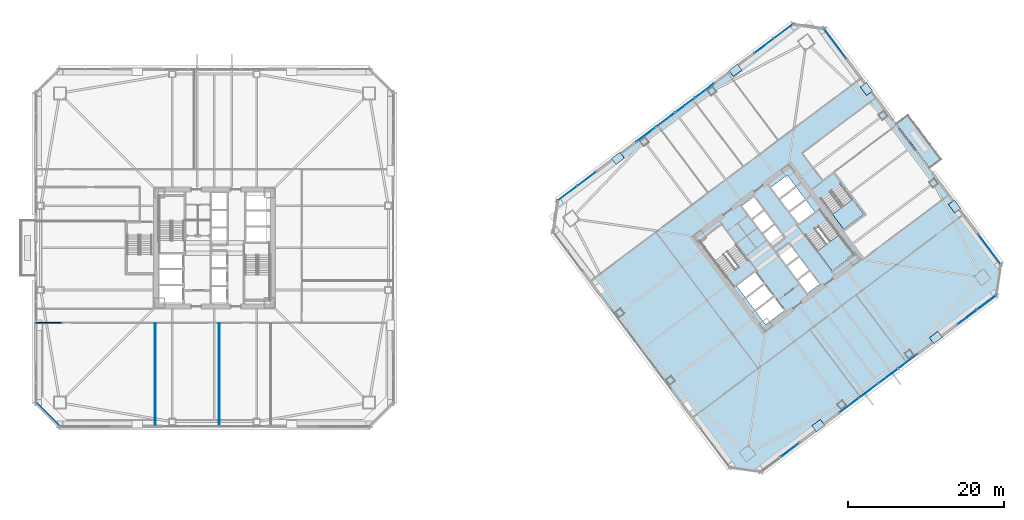
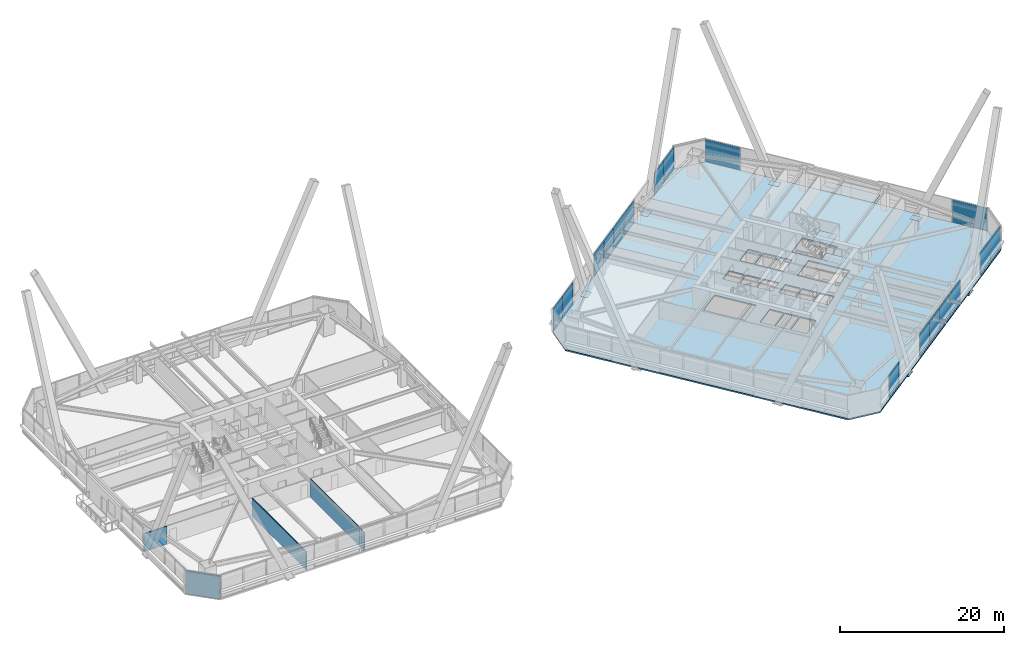
# One storey, part 61 of 75: 23 plates, 4 slabs, 4 walls, 10 elements without a shape of their own.
"""IFC4 building model written with IfcOpenShell, lengths in metres."""

import ifcopenshell
import ifcopenshell.guid

model = None  # the IFC model being written
_history = None  # IfcOwnerHistory: only IFC2X3 demands one
_inside = {}  # id of a spatial element -> (the spatial element, [elements in it])
_under = {}  # id of a project, library or spatial element -> (it, [spatial elements below it])
_declared = {}  # id of a project -> (the project, [libraries it declares])
_typed = {}  # id of a type object -> (the type object, [elements of that type])
_made_of = {}  # id of a material, layer set ... -> (it, [elements and type objects made of it])


def new_model(schema):
    """Start an empty IFC model of exactly this schema.

    Asked for "IFC4X3", IfcOpenShell would pick the latest addendum, in which some entities
    have other attributes; the version numbers below select the first issue.
    IFC2X3 requires an IfcOwnerHistory on every rooted entity: one is made here for all.
    """
    global model, _history
    if schema == "IFC4X3":
        model = ifcopenshell.file(schema_version=(4, 3, 0, 0))
    else:
        model = ifcopenshell.file(schema=schema)
    _inside.clear()
    _under.clear()
    _declared.clear()
    _typed.clear()
    _made_of.clear()
    _history = None
    if model.schema == "IFC2X3":
        org = make("IfcOrganization", Name="unknown")
        user = make(
            "IfcPersonAndOrganization",
            ThePerson=make("IfcPerson", FamilyName="unknown"),
            TheOrganization=org,
        )
        app = make(
            "IfcApplication",
            ApplicationDeveloper=org,
            Version="unknown",
            ApplicationFullName="unknown",
            ApplicationIdentifier="unknown",
        )
        _history = make(
            "IfcOwnerHistory",
            OwningUser=user,
            OwningApplication=app,
            ChangeAction="ADDED",
            CreationDate=0,
        )
    return model


def make(cls, **values):
    """One entity of the class cls with the attributes given. An attribute that is None is left unset."""
    return model.create_entity(
        cls, **{name: value for name, value in values.items() if value is not None}
    )


def rooted(cls, **values):
    """An entity with a GlobalId (a new one), such as an element, a storey or a relation."""
    return make(cls, GlobalId=ifcopenshell.guid.new(), OwnerHistory=_history, **values)


def si_unit(unit_type, name, prefix=None):
    """IfcSIUnit, for example si_unit("LENGTHUNIT", "METRE", prefix="MILLI")."""
    return make("IfcSIUnit", UnitType=unit_type, Prefix=prefix, Name=name)


def assignment(units):
    """IfcUnitAssignment: the units of a project."""
    return None if units is None else make("IfcUnitAssignment", Units=units)


def point(xyz):
    """IfcCartesianPoint."""
    return None if xyz is None else make("IfcCartesianPoint", Coordinates=xyz)


def direction(xyz):
    """IfcDirection."""
    return None if xyz is None else make("IfcDirection", DirectionRatios=xyz)


def frame(location, z_axis=None, x_axis=None):
    """IfcAxis2Placement3D, a coordinate frame: its origin and axes. An axis left out is left unset."""
    return make(
        "IfcAxis2Placement3D",
        Location=point(location),
        Axis=direction(z_axis),
        RefDirection=direction(x_axis),
    )


def frame_2d(location, x_axis=None):
    """IfcAxis2Placement2D, a coordinate frame in the plane: its origin and x axis."""
    return make(
        "IfcAxis2Placement2D", Location=point(location), RefDirection=direction(x_axis)
    )


def origin():
    """The frame at (0, 0, 0) with its axes left unset."""
    return frame((0.0, 0.0, 0.0))


def origin_2d():
    """The frame at (0, 0) in the plane with its x axis left unset."""
    return frame_2d((0.0, 0.0))


def place(relative_to, where):
    """IfcLocalPlacement: puts the frame where relative to a parent placement (None: the world)."""
    return make(
        "IfcLocalPlacement", PlacementRelTo=relative_to, RelativePlacement=where
    )


def context(
    kind, dimensions, precision=None, world=None, true_north=None, identifier=None
):
    """IfcGeometricRepresentationContext, for example the 3D "Model" context."""
    return make(
        "IfcGeometricRepresentationContext",
        ContextIdentifier=identifier,
        ContextType=kind,
        CoordinateSpaceDimension=dimensions,
        Precision=precision,
        WorldCoordinateSystem=world,
        TrueNorth=true_north,
    )


def subcontext(parent, identifier, kind, view, scale=None):
    """IfcGeometricRepresentationSubContext, for example "Body" below "Model"."""
    return make(
        "IfcGeometricRepresentationSubContext",
        ContextIdentifier=identifier,
        ContextType=kind,
        ParentContext=parent,
        TargetScale=scale,
        TargetView=view,
    )


def project(units=None, contexts=None):
    """IfcProject with its units and contexts."""
    return rooted(
        "IfcProject",
        Name="project",
        RepresentationContexts=contexts,
        UnitsInContext=assignment(units),
    )


def spatial(cls, under=None, at=None, **own):
    """A site, building, storey or space (cls), placed at a placement, below another one or the project."""
    s = rooted(cls, ObjectPlacement=at, **own)
    if under is not None:
        _under.setdefault(under.id(), (under, []))[1].append(s)
    return s


def polyline(points):
    """IfcPolyline through the points."""
    return make("IfcPolyline", Points=[point(p) for p in points])


def profile(cls, at=None, kind="AREA", **sizes):
    """A parametric profile (cls). Its sizes go by their IFC names, for example OverallWidth=200.0."""
    return make(cls, ProfileType=kind, Position=at, **sizes)


def rectangle(**sizes):
    """IfcRectangleProfileDef."""
    return profile("IfcRectangleProfileDef", **sizes)


def outline(outer, holes=None, kind="AREA"):
    """IfcArbitraryClosedProfileDef: a profile drawn as a closed curve; with holes, ...WithVoids."""
    if holes is None:
        return make("IfcArbitraryClosedProfileDef", ProfileType=kind, OuterCurve=outer)
    return make(
        "IfcArbitraryProfileDefWithVoids",
        ProfileType=kind,
        OuterCurve=outer,
        InnerCurves=holes,
    )


def extrude(swept, where, along, depth):
    """IfcExtrudedAreaSolid: the profile swept, set in the frame where, extruded along a direction by depth."""
    return make(
        "IfcExtrudedAreaSolid",
        SweptArea=swept,
        Position=where,
        ExtrudedDirection=direction(along),
        Depth=depth,
    )


def shape(context_of_items, identifier, shape_type, items):
    """IfcShapeRepresentation: the items that make up one representation, for example the "Body"."""
    return make(
        "IfcShapeRepresentation",
        ContextOfItems=context_of_items,
        RepresentationIdentifier=identifier,
        RepresentationType=shape_type,
        Items=items,
    )


def material(Name=None, Category=None):
    """IfcMaterial."""
    return make("IfcMaterial", Name=Name, Category=Category)


def layer(
    of_material, thickness, ventilated=None, Name=None, Category=None, Priority=None
):
    """IfcMaterialLayer: one layer of a wall or slab, of a material (None: an air gap)."""
    return make(
        "IfcMaterialLayer",
        Material=of_material,
        LayerThickness=thickness,
        IsVentilated=ventilated,
        Name=Name,
        Category=Category,
        Priority=Priority,
    )


def layer_set(layers, Name=None):
    """IfcMaterialLayerSet."""
    return make("IfcMaterialLayerSet", MaterialLayers=layers, LayerSetName=Name)


def made_of(thing, what):
    """Note that an element or type object is made of a material, layer set ...; save() writes the relation."""
    if what is not None:
        _made_of.setdefault(what.id(), (what, []))[1].append(thing)
    return thing


def type_object(cls, material=None, **own):
    """A type object (cls), such as IfcWallType, which elements share."""
    return made_of(rooted(cls, **own), material)


def element(
    cls,
    number,
    at=None,
    inside=None,
    cuts=None,
    type_object=None,
    material=None,
    context=None,
    identifier="Body",
    shape_type=None,
    held_by="IfcProductDefinitionShape",
    body=None,
    shapes=None,
    **own,
):
    """One element of the class cls, such as IfcWall. Its Tag is "e" and its number.

    at: its placement. inside: the storey or other place that contains it. cuts: it is an
    opening in that element (IfcRelVoidsElement). A single representation is given by context,
    identifier, shape_type and body (its items); several are given by shapes. held_by: the class
    of the entity that holds the representations. save() writes the other relations.
    """
    e = rooted(cls, Tag="e%d" % number, ObjectPlacement=at, **own)
    if body is not None:
        shapes = [shape(context, identifier, shape_type, body)]
    if shapes is not None:
        e.Representation = make(held_by, Representations=shapes)
    if inside is not None:
        _inside.setdefault(inside.id(), (inside, []))[1].append(e)
    if cuts is not None:
        rooted(
            "IfcRelVoidsElement", RelatingBuildingElement=cuts, RelatedOpeningElement=e
        )
    if type_object is not None:
        _typed.setdefault(type_object.id(), (type_object, []))[1].append(e)
    return made_of(e, material)


def aggregate(whole, parts):
    """IfcRelAggregates: a whole, such as a stair, and the parts it consists of."""
    return rooted("IfcRelAggregates", RelatingObject=whole, RelatedObjects=parts)


def save(model, path):
    """Write the relations noted so far, then the file.

    IfcRelAggregates (storeys below a building ...), IfcRelContainedInSpatialStructure (elements
    in a storey), IfcRelDefinesByType, IfcRelAssociatesMaterial and IfcRelDeclares: one each for
    every whole, place, type object, material and project.
    """
    for whole, parts in _under.values():
        aggregate(whole, parts)
    for where, things in _inside.values():
        rooted(
            "IfcRelContainedInSpatialStructure",
            RelatedElements=things,
            RelatingStructure=where,
        )
    for kind, things in _typed.values():
        rooted("IfcRelDefinesByType", RelatedObjects=things, RelatingType=kind)
    for what, things in _made_of.values():
        rooted("IfcRelAssociatesMaterial", RelatedObjects=things, RelatingMaterial=what)
    for by, libraries in _declared.values():
        rooted("IfcRelDeclares", RelatingContext=by, RelatedDefinitions=libraries)
    model.write(path)


model = new_model("IFC4")

# Units and contexts
model_context = context("Model", 3, precision=1e-05, world=origin(), true_north=direction((0.0, 1.0)))
body_context = subcontext(model_context, "Body", "Model", "MODEL_VIEW")
ifc_project = project(units=[si_unit("LENGTHUNIT", "METRE"), si_unit("AREAUNIT", "SQUARE_METRE"), si_unit("VOLUMEUNIT", "CUBIC_METRE"), si_unit("PLANEANGLEUNIT", "RADIAN"), si_unit("MASSUNIT", "GRAM", prefix="KILO")], contexts=[model_context])

# Site, building, storey
site_placement = place(None, origin())
site = spatial("IfcSite", under=ifc_project, at=site_placement, CompositionType="ELEMENT")
building_placement = place(site_placement, origin())
building = spatial("IfcBuilding", under=site, at=building_placement, Name="Tashvorn Skyway Center", CompositionType="ELEMENT")
storey_placement = place(building_placement, frame((0.0, 0.0, 45.89990234375)))
storey = spatial("IfcBuildingStorey", under=building, at=storey_placement, Name="L11", CompositionType="ELEMENT", Elevation=45.89990234375)

# Curtain wall, plates
ifc_material_1 = material(Name="Thermally broken bronze-anodized aluminium 6063-T6", Category="aluminium")
curtain_wall_type = type_object("IfcCurtainWallType", Name="CW-CW-Z1", PredefinedType="NOTDEFINED", material=ifc_material_1)
curtain_wall_1_placement = place(storey_placement, origin())
curtain_wall_1 = element("IfcCurtainWall", 1, at=curtain_wall_1_placement, inside=storey, type_object=curtain_wall_type, Name="Tower 2 L11 South Unitised Curtain Wall Glazing Group 1", PredefinedType="NOTDEFINED")
ifc_material_2 = material(Name="Low-E solar-control double insulating safety glass", Category="glass")
ifc_layer_1 = layer(ifc_material_2, 0.048095703125)
ifc_layer_set_1 = layer_set([ifc_layer_1], Name="Low-E solar-control double insulating safety glass")
plate_type_1 = type_object("IfcPlateType", Name="CWP-CW-Z1", PredefinedType="CURTAIN_PANEL", material=ifc_layer_set_1)
plate_1_placement = place(storey_placement, frame((140.83642578125, 25.02734375, 0.085205078125), z_axis=(0.0, 0.0, 1.0), x_axis=(-0.800001906763, -0.599997457641, 0.0)))
plate_1 = element("IfcPlate", 2, at=plate_1_placement, type_object=plate_type_1, Name="CW-Z1 panel 1.1", PredefinedType="CURTAIN_PANEL", context=body_context, shape_type="SweptSolid", body=[
    extrude(rectangle(XDim=3.019287109375, YDim=0.048095703125, at=origin_2d()), origin(), (0.0, 0.0, 1.0), 3.3798828125),
])
plate_2_placement = place(storey_placement, frame((138.35302734375, 23.164794921875, 0.085205078125), z_axis=(0.0, 0.0, 1.0), x_axis=(-0.800001906763, -0.599997457641, 0.0)))
plate_2 = element("IfcPlate", 3, at=plate_2_placement, type_object=plate_type_1, Name="CW-Z1 panel 2.1", PredefinedType="CURTAIN_PANEL", context=body_context, shape_type="SweptSolid", body=[
    extrude(rectangle(XDim=3.019287109375, YDim=0.048095703125, at=origin_2d()), origin(), (0.0, 0.0, 1.0), 3.3798828125),
])
aggregate(curtain_wall_1, [plate_1, plate_2])

curtain_wall_2_placement = place(storey_placement, origin())
curtain_wall_2 = element("IfcCurtainWall", 4, at=curtain_wall_2_placement, inside=storey, type_object=curtain_wall_type, Name="Tower 2 L11 South Unitised Curtain Wall Glazing Group 2", PredefinedType="NOTDEFINED")
plate_3_placement = place(storey_placement, frame((130.76708984375, 17.475341796875, 0.085205078125), z_axis=(0.0, 0.0, 1.0), x_axis=(-0.800001906763, -0.599997457641, 0.0)))
plate_3 = element("IfcPlate", 5, at=plate_3_placement, type_object=plate_type_1, Name="CW-Z1 panel 1.1", PredefinedType="CURTAIN_PANEL", context=body_context, shape_type="SweptSolid", body=[
    extrude(rectangle(XDim=3.019287109375, YDim=0.048095703125, at=origin_2d()), origin(), (0.0, 0.0, 1.0), 3.3798828125),
])
plate_4_placement = place(storey_placement, frame((128.2666015625, 15.60009765625, 0.085205078125), z_axis=(0.0, 0.0, 1.0), x_axis=(-0.800001906763, -0.599997457641, 0.0)))
plate_4 = element("IfcPlate", 6, at=plate_4_placement, type_object=plate_type_1, Name="CW-Z1 panel 2.1", PredefinedType="CURTAIN_PANEL", context=body_context, shape_type="SweptSolid", body=[
    extrude(rectangle(XDim=3.061767578125, YDim=0.048095703125, at=origin_2d()), origin(), (0.0, 0.0, 1.0), 3.3798828125),
])
plate_5_placement = place(storey_placement, frame((125.749267578125, 13.7119140625, 0.085205078125), z_axis=(0.0, 0.0, 1.0), x_axis=(-0.800001906763, -0.599997457641, 0.0)))
plate_5 = element("IfcPlate", 7, at=plate_5_placement, type_object=plate_type_1, Name="CW-Z1 panel 3.1", PredefinedType="CURTAIN_PANEL", context=body_context, shape_type="SweptSolid", body=[
    extrude(rectangle(XDim=3.061767578125, YDim=0.048095703125, at=origin_2d()), origin(), (0.0, 0.0, 1.0), 3.3798828125),
])
plate_6_placement = place(storey_placement, frame((123.2490234375, 11.836669921875, 0.085205078125), z_axis=(0.0, 0.0, 1.0), x_axis=(-0.800001906763, -0.599997457641, 0.0)))
plate_6 = element("IfcPlate", 8, at=plate_6_placement, type_object=plate_type_1, Name="CW-Z1 panel 4.1", PredefinedType="CURTAIN_PANEL", context=body_context, shape_type="SweptSolid", body=[
    extrude(rectangle(XDim=3.019287109375, YDim=0.048095703125, at=origin_2d()), origin(), (0.0, 0.0, 1.0), 3.3798828125),
])
aggregate(curtain_wall_2, [plate_3, plate_4, plate_5, plate_6])

# Curtain wall, plate
curtain_wall_3_placement = place(storey_placement, origin())
curtain_wall_3 = element("IfcCurtainWall", 9, at=curtain_wall_3_placement, inside=storey, type_object=curtain_wall_type, Name="Tower 2 L11 South Unitised Curtain Wall Glazing Group 3", PredefinedType="NOTDEFINED")
plate_7_placement = place(storey_placement, frame((115.6630859375, 6.147216796875, 0.085205078125), z_axis=(0.0, 0.0, 1.0), x_axis=(-0.800001906763, -0.599997457641, 0.0)))
plate_7 = element("IfcPlate", 10, at=plate_7_placement, type_object=plate_type_1, Name="CW-Z1 panel 1.1", PredefinedType="CURTAIN_PANEL", context=body_context, shape_type="SweptSolid", body=[
    extrude(rectangle(XDim=3.019287109375, YDim=0.048095703125, at=origin_2d()), origin(), (0.0, 0.0, 1.0), 3.3798828125),
])
aggregate(curtain_wall_3, [plate_7])

# Curtain wall, plates
curtain_wall_4_placement = place(storey_placement, origin())
curtain_wall_4 = element("IfcCurtainWall", 11, at=curtain_wall_4_placement, inside=storey, type_object=curtain_wall_type, Name="Tower 2 L11 North Unitised Curtain Wall Glazing Group 1", PredefinedType="NOTDEFINED")
plate_8_placement = place(storey_placement, frame((87.16357421875, 38.97265625, 0.085205078125), z_axis=(0.0, 0.0, 1.0), x_axis=(0.800001906763, 0.599997457641, 0.0)))
plate_8 = element("IfcPlate", 12, at=plate_8_placement, type_object=plate_type_1, Name="CW-Z1 panel 1.1", PredefinedType="CURTAIN_PANEL", context=body_context, shape_type="SweptSolid", body=[
    extrude(rectangle(XDim=3.019287109375, YDim=0.048095703125, at=origin_2d()), origin(), (0.0, 0.0, 1.0), 3.3798828125),
])
plate_9_placement = place(storey_placement, frame((89.64697265625, 40.835205078125, 0.085205078125), z_axis=(0.0, 0.0, 1.0), x_axis=(0.800001906763, 0.599997457641, 0.0)))
plate_9 = element("IfcPlate", 13, at=plate_9_placement, type_object=plate_type_1, Name="CW-Z1 panel 2.1", PredefinedType="CURTAIN_PANEL", context=body_context, shape_type="SweptSolid", body=[
    extrude(rectangle(XDim=3.019287109375, YDim=0.048095703125, at=origin_2d()), origin(), (0.0, 0.0, 1.0), 3.3798828125),
])
aggregate(curtain_wall_4, [plate_8, plate_9])

curtain_wall_5_placement = place(storey_placement, origin())
curtain_wall_5 = element("IfcCurtainWall", 14, at=curtain_wall_5_placement, inside=storey, type_object=curtain_wall_type, Name="Tower 2 L11 North Unitised Curtain Wall Glazing Group 2", PredefinedType="NOTDEFINED")
plate_10_placement = place(storey_placement, frame((97.23291015625, 46.524658203125, 0.085205078125), z_axis=(0.0, 0.0, 1.0), x_axis=(0.800001906763, 0.599997457641, 0.0)))
plate_10 = element("IfcPlate", 15, at=plate_10_placement, type_object=plate_type_1, Name="CW-Z1 panel 1.1", PredefinedType="CURTAIN_PANEL", context=body_context, shape_type="SweptSolid", body=[
    extrude(rectangle(XDim=3.019287109375, YDim=0.048095703125, at=origin_2d()), origin(), (0.0, 0.0, 1.0), 3.3798828125),
])
plate_11_placement = place(storey_placement, frame((99.7333984375, 48.39990234375, 0.085205078125), z_axis=(0.0, 0.0, 1.0), x_axis=(0.800001906763, 0.599997457641, 0.0)))
plate_11 = element("IfcPlate", 16, at=plate_11_placement, type_object=plate_type_1, Name="CW-Z1 panel 2.1", PredefinedType="CURTAIN_PANEL", context=body_context, shape_type="SweptSolid", body=[
    extrude(rectangle(XDim=3.061767578125, YDim=0.048095703125, at=origin_2d()), origin(), (0.0, 0.0, 1.0), 3.3798828125),
])
plate_12_placement = place(storey_placement, frame((102.250732421875, 50.2880859375, 0.085205078125), z_axis=(0.0, 0.0, 1.0), x_axis=(0.800001906763, 0.599997457641, 0.0)))
plate_12 = element("IfcPlate", 17, at=plate_12_placement, type_object=plate_type_1, Name="CW-Z1 panel 3.1", PredefinedType="CURTAIN_PANEL", context=body_context, shape_type="SweptSolid", body=[
    extrude(rectangle(XDim=3.061767578125, YDim=0.048095703125, at=origin_2d()), origin(), (0.0, 0.0, 1.0), 3.3798828125),
])
plate_13_placement = place(storey_placement, frame((104.7509765625, 52.163330078125, 0.085205078125), z_axis=(0.0, 0.0, 1.0), x_axis=(0.800001906763, 0.599997457641, 0.0)))
plate_13 = element("IfcPlate", 18, at=plate_13_placement, type_object=plate_type_1, Name="CW-Z1 panel 4.1", PredefinedType="CURTAIN_PANEL", context=body_context, shape_type="SweptSolid", body=[
    extrude(rectangle(XDim=3.019287109375, YDim=0.048095703125, at=origin_2d()), origin(), (0.0, 0.0, 1.0), 3.3798828125),
])
aggregate(curtain_wall_5, [plate_10, plate_11, plate_12, plate_13])

curtain_wall_6_placement = place(storey_placement, origin())
curtain_wall_6 = element("IfcCurtainWall", 19, at=curtain_wall_6_placement, inside=storey, type_object=curtain_wall_type, Name="Tower 2 L11 North Unitised Curtain Wall Glazing Group 3", PredefinedType="NOTDEFINED")
plate_14_placement = place(storey_placement, frame((112.3369140625, 57.852783203125, 0.085205078125), z_axis=(0.0, 0.0, 1.0), x_axis=(0.800001906763, 0.599997457641, 0.0)))
plate_14 = element("IfcPlate", 20, at=plate_14_placement, type_object=plate_type_1, Name="CW-Z1 panel 1.1", PredefinedType="CURTAIN_PANEL", context=body_context, shape_type="SweptSolid", body=[
    extrude(rectangle(XDim=3.019287109375, YDim=0.048095703125, at=origin_2d()), origin(), (0.0, 0.0, 1.0), 3.3798828125),
])
plate_15_placement = place(storey_placement, frame((114.8203125, 59.71533203125, 0.085205078125), z_axis=(0.0, 0.0, 1.0), x_axis=(0.800001906763, 0.599997457641, 0.0)))
plate_15 = element("IfcPlate", 21, at=plate_15_placement, type_object=plate_type_1, Name="CW-Z1 panel 2.1", PredefinedType="CURTAIN_PANEL", context=body_context, shape_type="SweptSolid", body=[
    extrude(rectangle(XDim=3.019287109375, YDim=0.048095703125, at=origin_2d()), origin(), (0.0, 0.0, 1.0), 3.3798828125),
])
aggregate(curtain_wall_6, [plate_14, plate_15])

# Curtain wall, plate
curtain_wall_7_placement = place(storey_placement, origin())
curtain_wall_7 = element("IfcCurtainWall", 22, at=curtain_wall_7_placement, inside=storey, type_object=curtain_wall_type, Name="Tower 2 L11 East Curtain Wall L Glazing Group 1", PredefinedType="NOTDEFINED")
plate_16_placement = place(storey_placement, frame((121.47900390625, 58.161376953125, 0.085205078125), z_axis=(0.0, 0.0, 1.0), x_axis=(0.600003280937, -0.799997539287, 0.0)))
plate_16 = element("IfcPlate", 23, at=plate_16_placement, type_object=plate_type_1, Name="CW-Z1 panel 1.1", PredefinedType="CURTAIN_PANEL", context=body_context, shape_type="SweptSolid", body=[
    extrude(rectangle(XDim=4.70654296875, YDim=0.048095703125, at=origin_2d()), origin(), (0.0, 0.0, 1.0), 3.3798828125),
])
aggregate(curtain_wall_7, [plate_16])

curtain_wall_8_placement = place(storey_placement, origin())
curtain_wall_8 = element("IfcCurtainWall", 24, at=curtain_wall_8_placement, inside=storey, type_object=curtain_wall_type, Name="Tower 2 L11 East Curtain Wall R Glazing Group 1", PredefinedType="NOTDEFINED")
plate_17_placement = place(storey_placement, frame((141.208984375, 31.854736328125, 0.085205078125), z_axis=(0.0, 0.0, 1.0), x_axis=(0.600003280937, -0.799997539287, 0.0)))
plate_17 = element("IfcPlate", 25, at=plate_17_placement, type_object=plate_type_1, Name="CW-Z1 panel 1.1", PredefinedType="CURTAIN_PANEL", context=body_context, shape_type="SweptSolid", body=[
    extrude(rectangle(XDim=4.70654296875, YDim=0.048095703125, at=origin_2d()), origin(), (0.0, 0.0, 1.0), 3.3798828125),
])
aggregate(curtain_wall_8, [plate_17])

# Plates
ifc_material_3 = material(Name="Steel ASTM A572 Grade 50", Category="steel")
ifc_layer_2 = layer(ifc_material_3, 0.044921875)
ifc_layer_set_2 = layer_set([ifc_layer_2], Name="Steel ASTM A572 Grade 50")
plate_type_2 = type_object("IfcPlateType", Name="PLT-GUSSET-45", PredefinedType="USERDEFINED", material=ifc_layer_set_2)
for number, where, z_axis, x_axis, name in (
    (26, (119.30810546875, 9.256103515625, -0.472412109375), (0.0, 0.0, 1.0), (0.799999996291, 0.600000004945, 0.0), "Tower 2 Zone 1 S Mid-Chevron Node Gusset L"),
    (27, (134.347900390625, 20.535888671875, -0.472412109375), (0.0, 0.0, 1.0), (0.799999996291, 0.600000004945, 0.0), "Tower 2 Zone 1 S Mid-Chevron Node Gusset R"),
    (28, (136.743896484375, 37.30810546875, -0.472412109375), (0.0, 0.0, 1.0), (-0.600000004945, 0.799999996291, 0.0), "Tower 2 Zone 1 E Mid-Chevron Node Gusset L"),
    (29, (125.464111328125, 52.347900390625, -0.472412109375), (0.0, 0.0, 1.0), (-0.600000004945, 0.799999996291, 0.0), "Tower 2 Zone 1 E Mid-Chevron Node Gusset R"),
    (30, (108.69189453125, 54.743896484375, -0.472412109375), (0.0, 0.0, 1.0), (-0.799999996291, -0.600000004945, 0.0), "Tower 2 Zone 1 N Mid-Chevron Node Gusset L"),
    (31, (93.652099609375, 43.464111328125, -0.472412109375), (0.0, 0.0, 1.0), (-0.799999996291, -0.600000004945, 0.0), "Tower 2 Zone 1 N Mid-Chevron Node Gusset R"),
):
    element("IfcPlate", number, at=place(storey_placement, frame(where, z_axis=z_axis, x_axis=x_axis)), inside=storey, type_object=plate_type_2, Name=name, ObjectType="GUSSET PLATE", PredefinedType="USERDEFINED", context=body_context, shape_type="SweptSolid", body=[
        extrude(rectangle(XDim=1.35009765625, YDim=0.949951171875, at=origin_2d()), origin(), (0.0, 0.0, 1.0), 0.044921875),
    ])

# Slab
ifc_material_4 = material(Name="Concrete C40/50", Category="concrete")
ifc_layer_3 = layer(ifc_material_4, 0.199951171875)
ifc_layer_set_3 = layer_set([ifc_layer_3], Name="Concrete C40/50")
slab_type_1 = type_object("IfcSlabType", Name="SLAB-FLR-200", PredefinedType="FLOOR", material=ifc_layer_set_3)
slab_1_placement = place(storey_placement, frame((0.0, 0.0, -0.199951171875)))
element("IfcSlab", 32, at=slab_1_placement, inside=storey, type_object=slab_type_1, Name="Tower 2 L11 Composite Floor Slab", PredefinedType="FLOOR", context=body_context, shape_type="SweptSolid", body=[
    extrude(outline(polyline([(112.0400390625, 3.280029296875), (142.1201171875, 25.840087890625), (142.719970703125, 30.0400390625), (120.159912109375, 60.1201171875), (115.9599609375, 60.719970703125), (85.8798828125, 38.159912109375), (85.280029296875, 33.9599609375), (107.840087890625, 3.8798828125), (112.0400390625, 3.280029296875)]), holes=[polyline([(110.23193359375, 30.52392578125), (106.919921875, 34.93994140625), (104.135986328125, 32.85205078125), (107.447998046875, 28.43603515625), (110.23193359375, 30.52392578125)]), polyline([(117.76806640625, 33.47607421875), (121.080078125, 29.06005859375), (123.864013671875, 31.14794921875), (120.552001953125, 35.56396484375), (117.76806640625, 33.47607421875)]), polyline([(119.7119140625, 38.18408203125), (122.5439453125, 34.407958984375), (125.10400390625, 36.327880859375), (122.27197265625, 40.10400390625), (119.7119140625, 38.18408203125)]), polyline([(109.949951171875, 25.64990234375), (112.35009765625, 27.449951171875), (111.239990234375, 28.929931640625), (108.840087890625, 27.1298828125), (109.949951171875, 25.64990234375)]), polyline([(111.14990234375, 24.050048828125), (113.550048828125, 25.85009765625), (112.43994140625, 27.330078125), (110.0400390625, 25.530029296875), (111.14990234375, 24.050048828125)]), polyline([(112.56005859375, 22.169921875), (114.9599609375, 23.969970703125), (113.669921875, 25.68994140625), (111.27001953125, 23.889892578125), (112.56005859375, 22.169921875)]), polyline([(117.919921875, 26.18994140625), (119.43994140625, 27.330078125), (118.2099609375, 28.969970703125), (116.68994140625, 27.830078125), (117.919921875, 26.18994140625)]), polyline([(116.570068359375, 27.989990234375), (118.090087890625, 29.1298828125), (116.860107421875, 30.77001953125), (115.340087890625, 29.6298828125), (116.570068359375, 27.989990234375)]), polyline([(115.219970703125, 29.7900390625), (116.739990234375, 30.929931640625), (115.510009765625, 32.570068359375), (113.989990234375, 31.429931640625), (115.219970703125, 29.7900390625)]), polyline([(113.449951171875, 32.14990234375), (114.969970703125, 33.2900390625), (113.739990234375, 34.929931640625), (112.219970703125, 33.7900390625), (113.449951171875, 32.14990234375)]), polyline([(112.10009765625, 33.949951171875), (113.6201171875, 35.090087890625), (112.389892578125, 36.72998046875), (110.8701171875, 35.590087890625), (112.10009765625, 33.949951171875)]), polyline([(110.75, 35.75), (112.27001953125, 36.889892578125), (111.0400390625, 38.530029296875), (109.52001953125, 37.389892578125), (110.75, 35.75)]), polyline([(116.760009765625, 35.070068359375), (118.840087890625, 36.6298828125), (117.72998046875, 38.110107421875), (115.64990234375, 36.550048828125), (116.760009765625, 35.070068359375)]), polyline([(115.530029296875, 36.7099609375), (117.610107421875, 38.27001953125), (116.5, 39.75), (114.419921875, 38.18994140625), (115.530029296875, 36.7099609375)]), polyline([(114.300048828125, 38.35009765625), (116.3798828125, 39.909912109375), (115.330078125, 41.31005859375), (113.25, 39.75), (114.300048828125, 38.35009765625)])]), origin(), (0.0, 0.0, 1.0), 0.199951171875),
])

# Stair, slab
stair_type = type_object("IfcStairType", Name="STAIR-CORE-1500", PredefinedType="HALF_TURN_STAIR", material=ifc_material_4)
stair_1_placement = place(storey_placement, origin())
stair_1 = element("IfcStair", 33, at=stair_1_placement, inside=storey, type_object=stair_type, Name="L11 Tower 2 Exit Stair 2", PredefinedType="HALF_TURN_STAIR")
ifc_layer_4 = layer(ifc_material_4, 0.199951171875)
ifc_layer_set_4 = layer_set([ifc_layer_4], Name="Concrete C40/50")
slab_type_2 = type_object("IfcSlabType", Name="SLAB-LAND-200", PredefinedType="LANDING", material=ifc_layer_set_4)
slab_2_placement = place(storey_placement, frame((0.0, 0.0, 1.5751953125)))
slab_2 = element("IfcSlab", 34, at=slab_2_placement, type_object=slab_type_2, Name="ST-T2-2 landing 1", PredefinedType="LANDING", context=body_context, shape_type="SweptSolid", body=[
    extrude(outline(polyline([(119.17919921875, 31.594482421875), (121.080078125, 29.06005859375), (123.864013671875, 31.14794921875), (121.963134765625, 33.682373046875), (119.17919921875, 31.594482421875)])), origin(), (0.0, 0.0, 1.0), 0.199951171875),
])
aggregate(stair_1, [slab_2])

stair_2_placement = place(storey_placement, origin())
stair_2 = element("IfcStair", 35, at=stair_2_placement, inside=storey, type_object=stair_type, Name="L11 Tower 2 Exit Stair 3", PredefinedType="HALF_TURN_STAIR")
slab_3_placement = place(storey_placement, frame((0.0, 0.0, 1.5751953125)))
slab_3 = element("IfcSlab", 36, at=slab_3_placement, type_object=slab_type_2, Name="ST-T2-3 landing 1", PredefinedType="LANDING", context=body_context, shape_type="SweptSolid", body=[
    extrude(outline(polyline([(121.123291015625, 36.302490234375), (122.5439453125, 34.407958984375), (125.10400390625, 36.327880859375), (123.68310546875, 38.222412109375), (121.123291015625, 36.302490234375)])), origin(), (0.0, 0.0, 1.0), 0.199951171875),
])
aggregate(stair_2, [slab_3])

# Slab
ifc_layer_5 = layer(ifc_material_4, 0.179931640625)
ifc_layer_set_5 = layer_set([ifc_layer_5], Name="Concrete C40/50")
slab_type_3 = type_object("IfcSlabType", Name="SLAB-TERR-200", PredefinedType="FLOOR", material=ifc_layer_set_5)
slab_4_placement = place(storey_placement, frame((0.0, 0.0, -0.199951171875)))
element("IfcSlab", 37, at=slab_4_placement, inside=storey, type_object=slab_type_3, Name="Tower 2 L11 Spiral Planted Terrace Slab", PredefinedType="FLOOR", context=body_context, shape_type="SweptSolid", body=[
    extrude(outline(polyline([(133.592041015625, 42.194091796875), (135.1201171875, 43.340087890625), (130.800048828125, 49.10009765625), (129.27197265625, 47.9541015625), (133.592041015625, 42.194091796875)])), origin(), (0.0, 0.0, 1.0), 0.199951171875),
])

# Walls
ifc_material_5 = material(Name="Precast concrete C40/50", Category="concrete")
ifc_layer_6 = layer(ifc_material_5, 0.280029296875)
ifc_layer_set_6 = layer_set([ifc_layer_6], Name="Precast concrete C40/50")
wall_type_1 = type_object("IfcWallType", Name="WALL-EXT-280", PredefinedType="SOLIDWALL", material=ifc_layer_set_6)
wall_1_placement = place(storey_placement, frame((22.199951171875, 9.10009765625, 0.0), z_axis=(0.0, 0.0, 1.0), x_axis=(-0.707106781187, 0.707106781187, 0.0)))
element("IfcWall", 38, at=wall_1_placement, inside=storey, type_object=wall_type_1, Name="Tower 1 L11 SW Precast Chamfer Wall", PredefinedType="SOLIDWALL", context=body_context, shape_type="SweptSolid", body=[
    extrude(rectangle(XDim=4.3837890625, YDim=0.280029296875, at=frame_2d((2.19189453125, 0.0))), origin(), (0.0, 0.0, 1.0), 3.35009765625),
])
ifc_material_6 = material(Name="Gypsum board on cold-formed steel stud framing", Category="steel")
ifc_layer_7 = layer(ifc_material_6, 0.110107421875)
ifc_layer_set_7 = layer_set([ifc_layer_7], Name="Gypsum board on cold-formed steel stud framing")
wall_type_2 = type_object("IfcWallType", Name="WALL-PART-110", PredefinedType="PARTITIONING", material=ifc_layer_set_7)
for number, where, z_axis, x_axis, name in (
    (39, (34.39990234375, 9.1201171875, 0.0), (0.0, 0.0, 1.0), (0.0, 1.0, 0.0), "Tower 1 L11 South Suite Partition 1"),
    (40, (42.60009765625, 9.1201171875, 0.0), (0.0, 0.0, 1.0), (0.0, 1.0, 0.0), "Tower 1 L11 South Suite Partition 2"),
):
    element("IfcWall", number, at=place(storey_placement, frame(where, z_axis=z_axis, x_axis=x_axis)), inside=storey, type_object=wall_type_2, Name=name, PredefinedType="PARTITIONING", context=body_context, shape_type="SweptSolid", body=[
        extrude(rectangle(XDim=13.22998046875, YDim=0.110107421875, at=frame_2d((6.614990234375, 0.0))), origin(), (0.0, 0.0, 1.0), 2.703125),
    ])
ifc_layer_8 = layer(ifc_material_6, 0.135009765625)
ifc_layer_set_8 = layer_set([ifc_layer_8], Name="Gypsum board on cold-formed steel stud framing")
wall_type_3 = type_object("IfcWallType", Name="WALL-PART-135", PredefinedType="PARTITIONING", material=ifc_layer_set_8)
wall_2_placement = place(storey_placement, frame((19.1201171875, 22.429931640625, 0.0), z_axis=(0.0, 0.0, 1.0), x_axis=(1.0, 0.0, 0.0)))
element("IfcWall", 41, at=wall_2_placement, inside=storey, type_object=wall_type_3, Name="Tower 1 L11 South-West Suite North Wall", PredefinedType="PARTITIONING", context=body_context, shape_type="SweptSolid", body=[
    extrude(rectangle(XDim=3.22998046875, YDim=0.135009765625, at=frame_2d((1.614990234375, 0.0))), origin(), (0.0, 0.0, 1.0), 2.703125),
])

save(model, "model.ifc")
